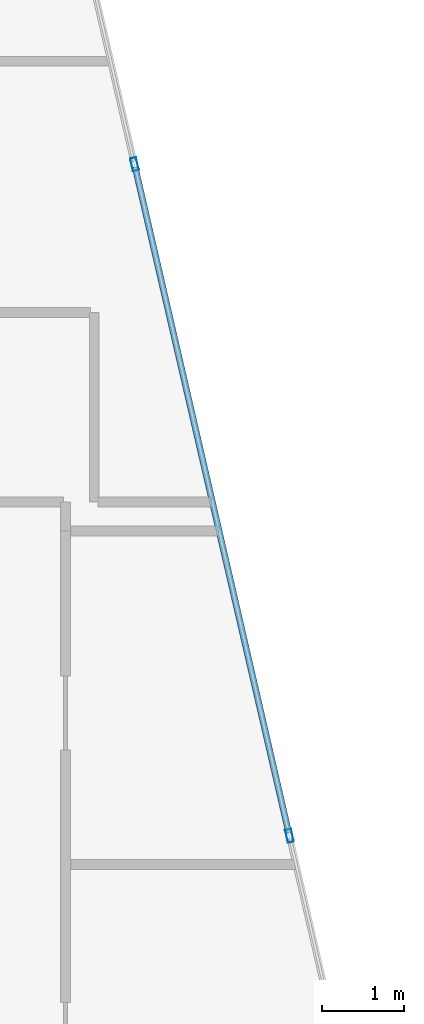
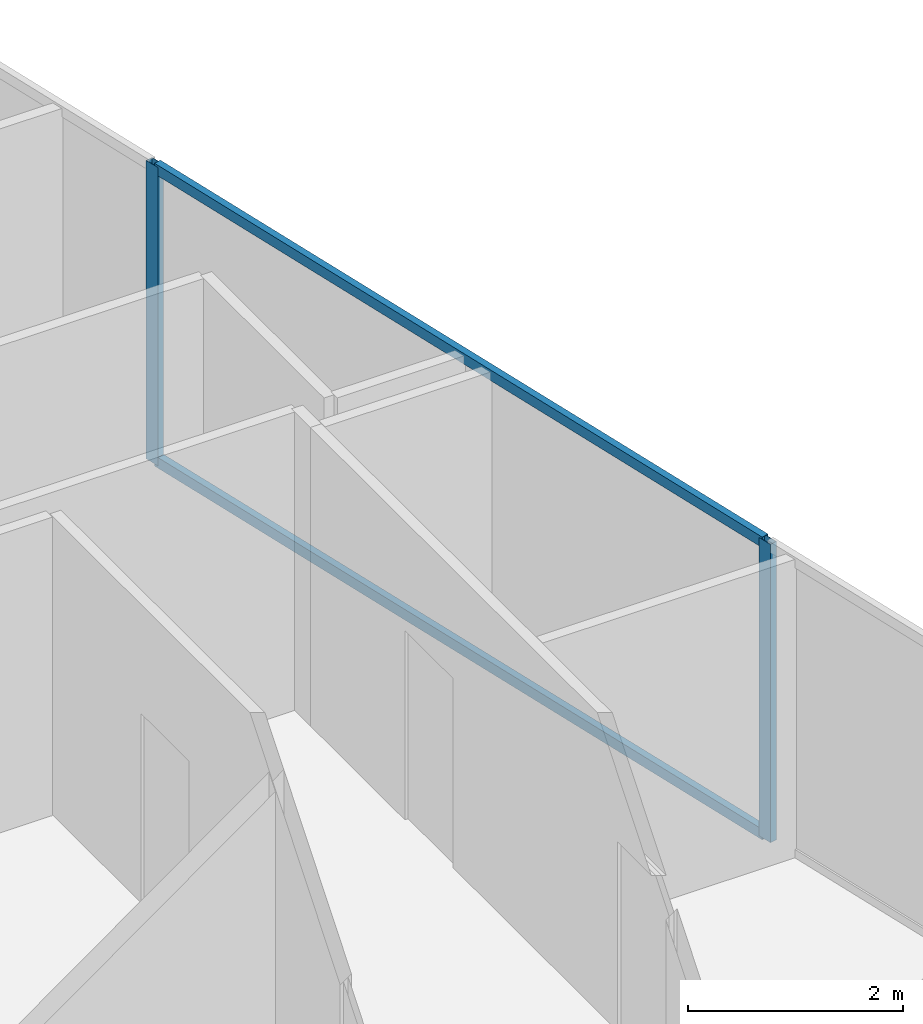
# One storey, part 20 of 29: 4 members, 1 element without a shape of its own.
"""IFC4 building model written with IfcOpenShell, lengths in metres."""

from ifc_helpers import new_model, si_unit, direction, frame, origin, origin_2d, place, context, subcontext, project, spatial, hollow_rectangle, extrude, material, layer, layer_set, material_profile, profile_set, type_object, element, aggregate, save


model = new_model("IFC4")

# Units and contexts
model_context = context("Model", 3, precision=1e-05, world=origin(), true_north=direction((0.0, 1.0)))
body_context = subcontext(model_context, "Body", "Model", "MODEL_VIEW")
ifc_project = project(units=[si_unit("LENGTHUNIT", "METRE"), si_unit("AREAUNIT", "SQUARE_METRE"), si_unit("VOLUMEUNIT", "CUBIC_METRE"), si_unit("PLANEANGLEUNIT", "RADIAN"), si_unit("MASSUNIT", "GRAM", prefix="KILO")], contexts=[model_context])

# Site, building, storey
site_placement = place(None, origin())
site = spatial("IfcSite", under=ifc_project, at=site_placement, CompositionType="ELEMENT")
building_placement = place(site_placement, origin())
building = spatial("IfcBuilding", under=site, at=building_placement, Name="Keshet Zoharim Tower", CompositionType="ELEMENT")
storey_placement = place(building_placement, frame((0.0, 0.0, 230.199951171875)))
storey = spatial("IfcBuildingStorey", under=building, at=storey_placement, Name="L57", CompositionType="ELEMENT", Elevation=230.199951171875)

# Curtain wall, members
ifc_material = material(Name="Aluminium 6063-T6", Category="aluminium")
ifc_layer = layer(ifc_material, 0.139892578125)
ifc_layer_set = layer_set([ifc_layer], Name="Aluminium 6063-T6")
curtain_wall_type = type_object("IfcCurtainWallType", Name="CW-SYS-05", PredefinedType="NOTDEFINED", material=ifc_layer_set)
curtain_wall_placement = place(storey_placement, origin())
curtain_wall = element("IfcCurtainWall", 1, at=curtain_wall_placement, inside=storey, type_object=curtain_wall_type, Name="L57 Unitised Curtain Wall 19", PredefinedType="NOTDEFINED")
ifc_material_profile_1 = material_profile(ifc_material, hollow_rectangle(XDim=0.074951171875, YDim=0.159912109375, WallThickness=0.00390625, at=origin_2d()), Name="MUL-75x160")
ifc_profile_set_1 = profile_set([ifc_material_profile_1], Name="Aluminium 6063-T6")
member_type_1 = type_object("IfcMemberType", Name="CWM-M15", PredefinedType="MULLION", material=ifc_profile_set_1)
member_1_placement = place(storey_placement, frame((41.23876953125, 44.199951171875, 0.0), z_axis=(0.0, 0.0, 1.0), x_axis=(0.974393882313, 0.224847864369, 0.0)))
member_1 = element("IfcMember", 2, at=member_1_placement, type_object=member_type_1, Name="CW-05 mullion 2", PredefinedType="MULLION", context=body_context, shape_type="SweptSolid", body=[
    extrude(hollow_rectangle(XDim=0.074951171875, YDim=0.159912109375, WallThickness=0.00390625, at=origin_2d()), origin(), (0.0, 0.0, 1.0), 3.39013671875),
])
member_2_placement = place(storey_placement, frame((43.119384765625, 36.050048828125, 0.0), z_axis=(0.0, 0.0, 1.0), x_axis=(0.974393882313, 0.224847864369, 0.0)))
member_2 = element("IfcMember", 3, at=member_2_placement, type_object=member_type_1, Name="CW-05 mullion 3", PredefinedType="MULLION", context=body_context, shape_type="SweptSolid", body=[
    extrude(hollow_rectangle(XDim=0.074951171875, YDim=0.159912109375, WallThickness=0.00390625, at=origin_2d()), origin(), (0.0, 0.0, 1.0), 3.39013671875),
])
ifc_material_profile_2 = material_profile(ifc_material, hollow_rectangle(XDim=0.074951171875, YDim=0.1201171875, WallThickness=0.00390625, at=origin_2d()), Name="TRN-75x120")
ifc_profile_set_2 = profile_set([ifc_material_profile_2], Name="Aluminium 6063-T6")
member_type_2 = type_object("IfcMemberType", Name="CWT-T12", PredefinedType="USERDEFINED", material=ifc_profile_set_2)
member_3_placement = place(storey_placement, frame((41.24658203125, 44.166015625, 0.03515625), z_axis=(0.224848758198, -0.974393676055, 0.0), x_axis=(0.974393676055, 0.224848758198, 0.0)))
member_3 = element("IfcMember", 4, at=member_3_placement, type_object=member_type_2, Name="CW-05 transom 2.1", ObjectType="TRANSOM", PredefinedType="USERDEFINED", context=body_context, shape_type="SweptSolid", body=[
    extrude(hollow_rectangle(XDim=0.074951171875, YDim=0.1201171875, WallThickness=0.00390625, at=origin_2d()), origin(), (0.0, 0.0, 1.0), 8.29443359375),
])
member_4_placement = place(storey_placement, frame((41.24658203125, 44.166015625, 3.35498046875), z_axis=(0.224848758198, -0.974393676055, 0.0), x_axis=(0.974393676055, 0.224848758198, 0.0)))
member_4 = element("IfcMember", 5, at=member_4_placement, type_object=member_type_2, Name="CW-05 transom 2.2", ObjectType="TRANSOM", PredefinedType="USERDEFINED", context=body_context, shape_type="SweptSolid", body=[
    extrude(hollow_rectangle(XDim=0.074951171875, YDim=0.1201171875, WallThickness=0.00390625, at=origin_2d()), origin(), (0.0, 0.0, 1.0), 8.29443359375),
])
aggregate(curtain_wall, [member_1, member_2, member_3, member_4])

save(model, "model.ifc")
